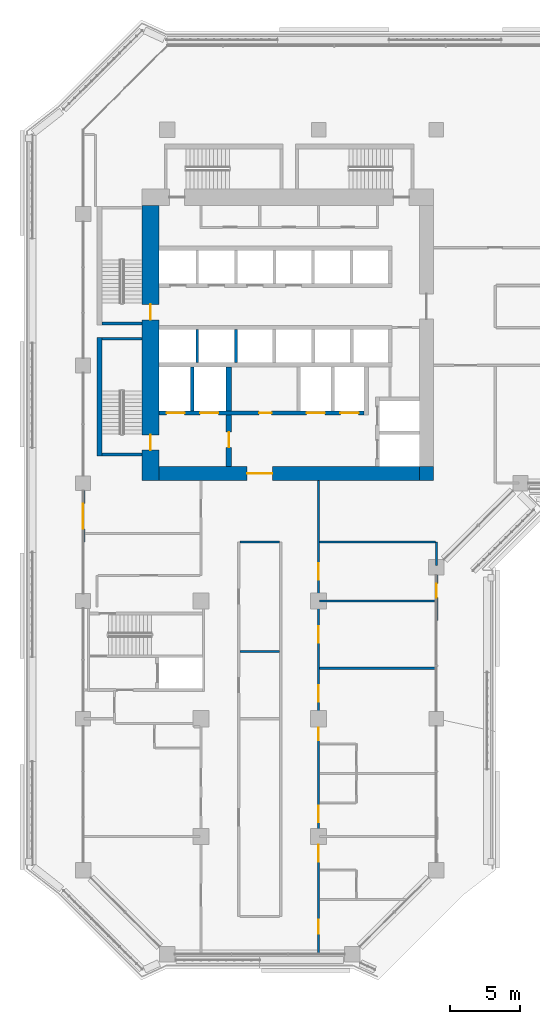
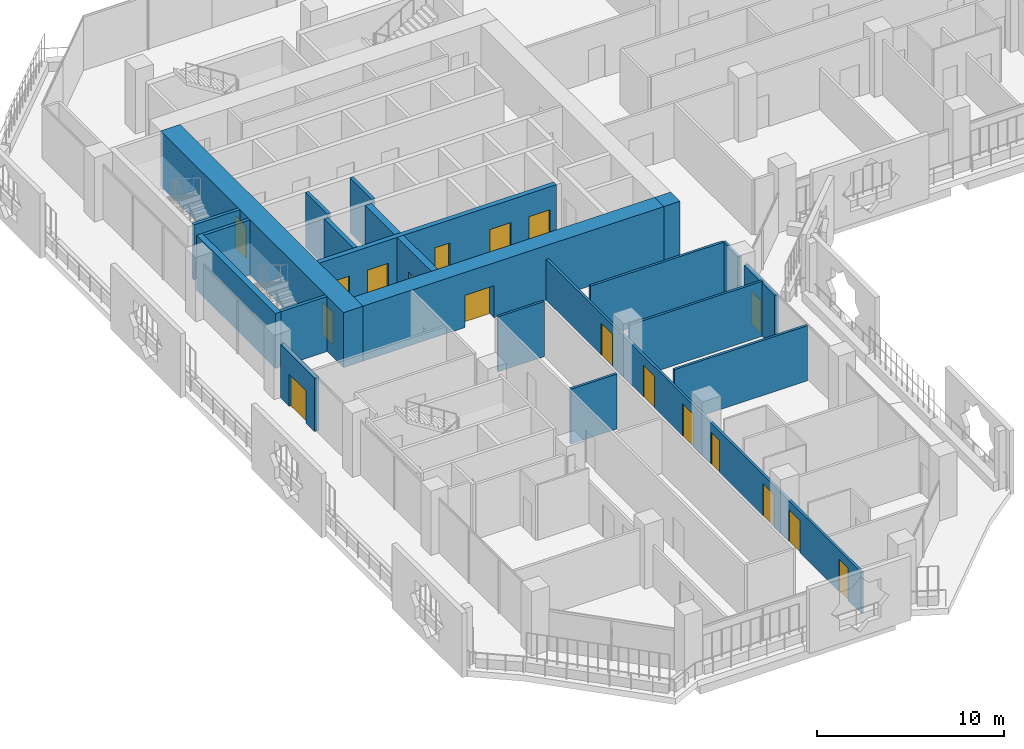
# One storey, part 13 of 25: 22 walls, 18 doors, 18 openings.
"""IFC4 building model written with IfcOpenShell, lengths in metres."""

from ifc_helpers import new_model, si_unit, direction, frame, frame_2d, origin, place, context, subcontext, project, spatial, rectangle, extrude, material, layer, layer_set, type_object, element, fill, save


model = new_model("IFC4")

# Units and contexts
model_context = context("Model", 3, precision=1e-05, world=origin(), true_north=direction((0.0, 1.0)))
body_context = subcontext(model_context, "Body", "Model", "MODEL_VIEW")
ifc_project = project(units=[si_unit("LENGTHUNIT", "METRE"), si_unit("AREAUNIT", "SQUARE_METRE"), si_unit("VOLUMEUNIT", "CUBIC_METRE"), si_unit("PLANEANGLEUNIT", "RADIAN"), si_unit("MASSUNIT", "GRAM", prefix="KILO")], contexts=[model_context])

# Site, building, storey
site_placement = place(None, origin())
site = spatial("IfcSite", under=ifc_project, at=site_placement, CompositionType="ELEMENT")
building_placement = place(site_placement, origin())
building = spatial("IfcBuilding", under=site, at=building_placement, Name="Kawkab Arch Medical Tower", CompositionType="ELEMENT")
storey_placement = place(building_placement, frame((0.0, 0.0, 124.0)))
storey = spatial("IfcBuildingStorey", under=building, at=storey_placement, Name="L28", CompositionType="ELEMENT", Elevation=124.0)

# Wall, opening, door
ifc_material_1 = material(Name="Concrete C60/75", Category="concrete")
ifc_layer_1 = layer(ifc_material_1, 1.0)
ifc_layer_set_1 = layer_set([ifc_layer_1], Name="Concrete C60/75")
wall_type_1 = type_object("IfcWallType", Name="Core ring wall 1000 C60/75", PredefinedType="SHEAR", material=ifc_layer_set_1)
wall_1_placement = place(storey_placement, frame((5.39990234375, -24.5, 0.0), z_axis=(0.0, 0.0, 1.0), x_axis=(1.0, 0.0, 0.0)))
wall_1 = element("IfcWall", 1, at=wall_1_placement, inside=storey, type_object=wall_type_1, Name="L28 core wall", PredefinedType="SHEAR", context=body_context, shape_type="SweptSolid", body=[
    extrude(rectangle(XDim=18.60009765625, YDim=1.0, at=frame_2d((9.300048828125, 0.0))), origin(), (0.0, 0.0, 1.0), 3.60009765625),
])
opening_1_placement = place(wall_1_placement, frame((6.300048828125, 0.0, 0.0)))
opening_1 = element("IfcOpeningElement", 2, at=opening_1_placement, cuts=wall_1, Name="Opening PD", PredefinedType="OPENING", context=body_context, shape_type="SweptSolid", body=[
    extrude(rectangle(XDim=1.800048828125, YDim=2.10009765625, at=frame_2d((0.89990234375, 1.050048828125))), frame((0.0, 0.510009765625, 0.0), z_axis=(0.0, -1.0, 0.0), x_axis=(1.0, 0.0, 0.0)), (0.0, 0.0, 1.0), 1.02001953125),
])
ifc_material_2 = material(Name="Hollow metal fire door leaf")
door_type_1 = type_object("IfcDoorType", Name="Core entrance doors 1800", OperationType="DOUBLE_DOOR_SINGLE_SWING", PredefinedType="DOOR", material=ifc_material_2)
door_1_placement = place(opening_1_placement, origin())
door_1 = element("IfcDoor", 3, at=door_1_placement, inside=storey, type_object=door_type_1, Name="L28 South entrance doors", OperationType="DOUBLE_DOOR_SINGLE_SWING", OverallHeight=2.10009765625, OverallWidth=1.800048828125, PredefinedType="DOOR", context=body_context, shape_type="SweptSolid", body=[
    extrude(rectangle(XDim=1.800048828125, YDim=2.10009765625, at=frame_2d((0.89990234375, 1.050048828125))), frame((0.0, 0.02490234375, 0.0), z_axis=(0.0, -1.0, 0.0), x_axis=(1.0, 0.0, 0.0)), (0.0, 0.0, 1.0), 0.050048828125),
])
fill(opening_1, door_1)

# Wall
wall_2_placement = place(storey_placement, frame((24.5, -25.0, 0.0), z_axis=(0.0, 0.0, 1.0), x_axis=(0.0, 1.0, 0.0)))
element("IfcWall", 4, at=wall_2_placement, inside=storey, type_object=wall_type_1, Name="L28 core wall", PredefinedType="SHEAR", context=body_context, shape_type="SweptSolid", body=[
    extrude(rectangle(XDim=1.0, YDim=1.0, at=frame_2d((0.5, 0.0))), origin(), (0.0, 0.0, 1.0), 3.60009765625),
])

# Wall, openings, doors
ifc_material_3 = material(Name="Concrete C60/75", Category="concrete")
ifc_layer_2 = layer(ifc_material_3, 1.199951171875)
ifc_layer_set_2 = layer_set([ifc_layer_2], Name="Concrete C60/75")
wall_type_2 = type_object("IfcWallType", Name="Core ring wall 1200 C60/75", PredefinedType="SHEAR", material=ifc_layer_set_2)
wall_3_placement = place(storey_placement, frame((4.800048828125, -25.0, 0.0), z_axis=(0.0, 0.0, 1.0), x_axis=(0.0, 1.0, 0.0)))
wall_3 = element("IfcWall", 5, at=wall_3_placement, inside=storey, type_object=wall_type_2, Name="L28 core wall", PredefinedType="SHEAR", context=body_context, shape_type="SweptSolid", body=[
    extrude(rectangle(XDim=19.60009765625, YDim=1.199951171875, at=frame_2d((9.800048828125, 0.0))), origin(), (0.0, 0.0, 1.0), 3.60009765625),
])
opening_2_placement = place(wall_3_placement, frame((11.449951171875, 0.0, 0.0)))
opening_2 = element("IfcOpeningElement", 6, at=opening_2_placement, cuts=wall_3, Name="Opening SD", PredefinedType="OPENING", context=body_context, shape_type="SweptSolid", body=[
    extrude(rectangle(XDim=1.10009765625, YDim=2.10009765625, at=frame_2d((0.550048828125, 1.050048828125))), frame((0.0, 0.60986328125, 0.0), z_axis=(0.0, -1.0, 0.0), x_axis=(1.0, 0.0, 0.0)), (0.0, 0.0, 1.0), 1.219970703125),
])
opening_3_placement = place(wall_3_placement, frame((2.14990234375, 0.0, 0.0)))
opening_3 = element("IfcOpeningElement", 7, at=opening_3_placement, cuts=wall_3, Name="Opening SD", PredefinedType="OPENING", context=body_context, shape_type="SweptSolid", body=[
    extrude(rectangle(XDim=1.10009765625, YDim=2.10009765625, at=frame_2d((0.550048828125, 1.050048828125))), frame((0.0, 0.60986328125, 0.0), z_axis=(0.0, -1.0, 0.0), x_axis=(1.0, 0.0, 0.0)), (0.0, 0.0, 1.0), 1.219970703125),
])
ifc_material_4 = material(Name="Hollow metal fire door leaf")
door_type_2 = type_object("IfcDoorType", Name="Exit stair door 1100", OperationType="SINGLE_SWING_LEFT", PredefinedType="DOOR", material=ifc_material_4)
door_2_placement = place(opening_2_placement, origin())
door_2 = element("IfcDoor", 8, at=door_2_placement, inside=storey, type_object=door_type_2, Name="L28 Exit stair ST1 door", OperationType="SINGLE_SWING_LEFT", OverallHeight=2.10009765625, OverallWidth=1.10009765625, PredefinedType="DOOR", context=body_context, shape_type="SweptSolid", body=[
    extrude(rectangle(XDim=1.10009765625, YDim=2.10009765625, at=frame_2d((0.550048828125, 1.050048828125))), frame((0.0, 0.02490234375, 0.0), z_axis=(0.0, -1.0, 0.0), x_axis=(1.0, 0.0, 0.0)), (0.0, 0.0, 1.0), 0.050048828125),
])
fill(opening_2, door_2)
door_3_placement = place(opening_3_placement, origin())
door_3 = element("IfcDoor", 9, at=door_3_placement, inside=storey, type_object=door_type_2, Name="L28 Exit stair ST2 door", OperationType="SINGLE_SWING_LEFT", OverallHeight=2.10009765625, OverallWidth=1.10009765625, PredefinedType="DOOR", context=body_context, shape_type="SweptSolid", body=[
    extrude(rectangle(XDim=1.10009765625, YDim=2.10009765625, at=frame_2d((0.550048828125, 1.050048828125))), frame((0.0, 0.02490234375, 0.0), z_axis=(0.0, -1.0, 0.0), x_axis=(1.0, 0.0, 0.0)), (0.0, 0.0, 1.0), 0.050048828125),
])
fill(opening_3, door_3)

# Wall
ifc_material_5 = material(Name="Concrete C60/75", Category="concrete")
ifc_layer_3 = layer(ifc_material_5, 0.25)
ifc_layer_set_3 = layer_set([ifc_layer_3], Name="Concrete C60/75")
wall_type_3 = type_object("IfcWallType", Name="Core shear wall 250 C60/75", PredefinedType="SHEAR", material=ifc_layer_set_3)
wall_4_placement = place(storey_placement, frame((7.800048828125, -20.050048828125, 0.0), z_axis=(0.0, 0.0, 1.0), x_axis=(0.0, 1.0, 0.0)))
element("IfcWall", 10, at=wall_4_placement, inside=storey, type_object=wall_type_3, Name="L28 core shear wall", PredefinedType="SHEAR", context=body_context, shape_type="SweptSolid", body=[
    extrude(rectangle(XDim=3.150146484375, YDim=0.25, at=frame_2d((1.5751953125, 0.0))), origin(), (0.0, 0.0, 1.0), 3.60009765625),
])

# Wall, openings, doors
ifc_material_6 = material(Name="Concrete C60/75", Category="concrete")
ifc_layer_4 = layer(ifc_material_6, 0.300048828125)
ifc_layer_set_4 = layer_set([ifc_layer_4], Name="Concrete C60/75")
wall_type_4 = type_object("IfcWallType", Name="Core shear wall 300 C60/75", PredefinedType="SHEAR", material=ifc_layer_set_4)
wall_5_placement = place(storey_placement, frame((5.39990234375, -20.199951171875, 0.0), z_axis=(0.0, 0.0, 1.0), x_axis=(1.0, 0.0, 0.0)))
wall_5 = element("IfcWall", 11, at=wall_5_placement, inside=storey, type_object=wall_type_4, Name="L28 core shear wall", PredefinedType="SHEAR", context=body_context, shape_type="SweptSolid", body=[
    extrude(rectangle(XDim=14.650146484375, YDim=0.300048828125, at=frame_2d((7.3251953125, 0.0))), origin(), (0.0, 0.0, 1.0), 3.60009765625),
])
opening_4_placement = place(wall_5_placement, frame((10.550048828125, 0.0, 0.0)))
opening_4 = element("IfcOpeningElement", 12, at=opening_4_placement, cuts=wall_5, Name="Opening LD2", PredefinedType="OPENING", context=body_context, shape_type="SweptSolid", body=[
    extrude(rectangle(XDim=1.300048828125, YDim=2.10009765625, at=frame_2d((0.64990234375, 1.050048828125))), frame((0.0, 0.159912109375, 0.0), z_axis=(0.0, -1.0, 0.0), x_axis=(1.0, 0.0, 0.0)), (0.0, 0.0, 1.0), 0.320068359375),
])
opening_5_placement = place(wall_5_placement, frame((12.949951171875, 0.0, 0.0)))
opening_5 = element("IfcOpeningElement", 13, at=opening_5_placement, cuts=wall_5, Name="Opening LD2", PredefinedType="OPENING", context=body_context, shape_type="SweptSolid", body=[
    extrude(rectangle(XDim=1.300048828125, YDim=2.10009765625, at=frame_2d((0.64990234375, 1.050048828125))), frame((0.0, 0.159912109375, 0.0), z_axis=(0.0, -1.0, 0.0), x_axis=(1.0, 0.0, 0.0)), (0.0, 0.0, 1.0), 0.320068359375),
])
opening_6_placement = place(wall_5_placement, frame((0.550048828125, 0.0, 0.0)))
opening_6 = element("IfcOpeningElement", 14, at=opening_6_placement, cuts=wall_5, Name="Opening LD2", PredefinedType="OPENING", context=body_context, shape_type="SweptSolid", body=[
    extrude(rectangle(XDim=1.300048828125, YDim=2.10009765625, at=frame_2d((0.64990234375, 1.050048828125))), frame((0.0, 0.159912109375, 0.0), z_axis=(0.0, -1.0, 0.0), x_axis=(1.0, 0.0, 0.0)), (0.0, 0.0, 1.0), 0.320068359375),
])
opening_7_placement = place(wall_5_placement, frame((2.949951171875, 0.0, 0.0)))
opening_7 = element("IfcOpeningElement", 15, at=opening_7_placement, cuts=wall_5, Name="Opening LD2", PredefinedType="OPENING", context=body_context, shape_type="SweptSolid", body=[
    extrude(rectangle(XDim=1.300048828125, YDim=2.10009765625, at=frame_2d((0.64990234375, 1.050048828125))), frame((0.0, 0.159912109375, 0.0), z_axis=(0.0, -1.0, 0.0), x_axis=(1.0, 0.0, 0.0)), (0.0, 0.0, 1.0), 0.320068359375),
])
opening_8_placement = place(wall_5_placement, frame((7.14990234375, 0.0, 0.0)))
opening_8 = element("IfcOpeningElement", 16, at=opening_8_placement, cuts=wall_5, Name="Opening RD", PredefinedType="OPENING", context=body_context, shape_type="SweptSolid", body=[
    extrude(rectangle(XDim=0.89990234375, YDim=2.10009765625, at=frame_2d((0.449951171875, 1.050048828125))), frame((0.0, 0.159912109375, 0.0), z_axis=(0.0, -1.0, 0.0), x_axis=(1.0, 0.0, 0.0)), (0.0, 0.0, 1.0), 0.320068359375),
])
ifc_material_7 = material(Name="Hollow metal fire door leaf")
door_type_3 = type_object("IfcDoorType", Name="Core room door 900", OperationType="SINGLE_SWING_LEFT", PredefinedType="DOOR", material=ifc_material_7)
door_4_placement = place(opening_8_placement, origin())
door_4 = element("IfcDoor", 17, at=door_4_placement, inside=storey, type_object=door_type_3, Name="L28 General store door", OperationType="SINGLE_SWING_LEFT", OverallHeight=2.10009765625, OverallWidth=0.89990234375, PredefinedType="DOOR", context=body_context, shape_type="SweptSolid", body=[
    extrude(rectangle(XDim=0.89990234375, YDim=2.10009765625, at=frame_2d((0.449951171875, 1.050048828125))), frame((0.0, 0.02490234375, 0.0), z_axis=(0.0, -1.0, 0.0), x_axis=(1.0, 0.0, 0.0)), (0.0, 0.0, 1.0), 0.050048828125),
])
fill(opening_8, door_4)
ifc_material_8 = material(Name="Stainless steel lift door leaf", Category="steel")
door_type_4 = type_object("IfcDoorType", Name="Lift landing door 1300", OperationType="DOUBLE_DOOR_SLIDING", PredefinedType="DOOR", material=ifc_material_8)
door_5_placement = place(opening_4_placement, origin())
door_5 = element("IfcDoor", 18, at=door_5_placement, inside=storey, type_object=door_type_4, Name="L28 Lift landing door BD3", OperationType="DOUBLE_DOOR_SLIDING", OverallHeight=2.10009765625, OverallWidth=1.300048828125, PredefinedType="DOOR", context=body_context, shape_type="SweptSolid", body=[
    extrude(rectangle(XDim=1.300048828125, YDim=2.10009765625, at=frame_2d((0.64990234375, 1.050048828125))), frame((0.0, 0.02490234375, 0.0), z_axis=(0.0, -1.0, 0.0), x_axis=(1.0, 0.0, 0.0)), (0.0, 0.0, 1.0), 0.050048828125),
])
fill(opening_4, door_5)
door_6_placement = place(opening_5_placement, origin())
door_6 = element("IfcDoor", 19, at=door_6_placement, inside=storey, type_object=door_type_4, Name="L28 Lift landing door BD4", OperationType="DOUBLE_DOOR_SLIDING", OverallHeight=2.10009765625, OverallWidth=1.300048828125, PredefinedType="DOOR", context=body_context, shape_type="SweptSolid", body=[
    extrude(rectangle(XDim=1.300048828125, YDim=2.10009765625, at=frame_2d((0.64990234375, 1.050048828125))), frame((0.0, 0.02490234375, 0.0), z_axis=(0.0, -1.0, 0.0), x_axis=(1.0, 0.0, 0.0)), (0.0, 0.0, 1.0), 0.050048828125),
])
fill(opening_5, door_6)
door_7_placement = place(opening_6_placement, origin())
door_7 = element("IfcDoor", 20, at=door_7_placement, inside=storey, type_object=door_type_4, Name="L28 Lift landing door FL1", OperationType="DOUBLE_DOOR_SLIDING", OverallHeight=2.10009765625, OverallWidth=1.300048828125, PredefinedType="DOOR", context=body_context, shape_type="SweptSolid", body=[
    extrude(rectangle(XDim=1.300048828125, YDim=2.10009765625, at=frame_2d((0.64990234375, 1.050048828125))), frame((0.0, 0.02490234375, 0.0), z_axis=(0.0, -1.0, 0.0), x_axis=(1.0, 0.0, 0.0)), (0.0, 0.0, 1.0), 0.050048828125),
])
fill(opening_6, door_7)
door_8_placement = place(opening_7_placement, origin())
door_8 = element("IfcDoor", 21, at=door_8_placement, inside=storey, type_object=door_type_4, Name="L28 Lift landing door FL2", OperationType="DOUBLE_DOOR_SLIDING", OverallHeight=2.10009765625, OverallWidth=1.300048828125, PredefinedType="DOOR", context=body_context, shape_type="SweptSolid", body=[
    extrude(rectangle(XDim=1.300048828125, YDim=2.10009765625, at=frame_2d((0.64990234375, 1.050048828125))), frame((0.0, 0.02490234375, 0.0), z_axis=(0.0, -1.0, 0.0), x_axis=(1.0, 0.0, 0.0)), (0.0, 0.0, 1.0), 0.050048828125),
])
fill(opening_7, door_8)

# Wall, opening, door
ifc_material_9 = material(Name="Concrete C60/75", Category="concrete")
ifc_layer_5 = layer(ifc_material_9, 0.39990234375)
ifc_layer_set_5 = layer_set([ifc_layer_5], Name="Concrete C60/75")
wall_type_5 = type_object("IfcWallType", Name="Core shear wall 400 C60/75", PredefinedType="SHEAR", material=ifc_layer_set_5)
wall_6_placement = place(storey_placement, frame((10.39990234375, -24.0, 0.0), z_axis=(0.0, 0.0, 1.0), x_axis=(0.0, 1.0, 0.0)))
wall_6 = element("IfcWall", 22, at=wall_6_placement, inside=storey, type_object=wall_type_5, Name="L28 core shear wall", PredefinedType="SHEAR", context=body_context, shape_type="SweptSolid", body=[
    extrude(rectangle(XDim=3.64990234375, YDim=0.39990234375, at=frame_2d((1.824951171875, 0.0))), origin(), (0.0, 0.0, 1.0), 3.60009765625),
])
opening_9_placement = place(wall_6_placement, frame((1.35009765625, 0.0, 0.0)))
opening_9 = element("IfcOpeningElement", 23, at=opening_9_placement, cuts=wall_6, Name="Opening FD", PredefinedType="OPENING", context=body_context, shape_type="SweptSolid", body=[
    extrude(rectangle(XDim=1.10009765625, YDim=2.10009765625, at=frame_2d((0.550048828125, 1.050048828125))), frame((0.0, 0.2099609375, 0.0), z_axis=(0.0, -1.0, 0.0), x_axis=(1.0, 0.0, 0.0)), (0.0, 0.0, 1.0), 0.419921875),
])
ifc_material_10 = material(Name="Hollow metal fire door leaf")
door_type_5 = type_object("IfcDoorType", Name="Firefighting lobby door 1100", OperationType="SINGLE_SWING_LEFT", PredefinedType="DOOR", material=ifc_material_10)
door_9_placement = place(opening_9_placement, origin())
door_9 = element("IfcDoor", 24, at=door_9_placement, inside=storey, type_object=door_type_5, Name="L28 Firefighting lobby door", OperationType="SINGLE_SWING_LEFT", OverallHeight=2.10009765625, OverallWidth=1.10009765625, PredefinedType="DOOR", context=body_context, shape_type="SweptSolid", body=[
    extrude(rectangle(XDim=1.10009765625, YDim=2.10009765625, at=frame_2d((0.550048828125, 1.050048828125))), frame((0.0, 0.02490234375, 0.0), z_axis=(0.0, -1.0, 0.0), x_axis=(1.0, 0.0, 0.0)), (0.0, 0.0, 1.0), 0.050048828125),
])
fill(opening_9, door_9)

# Wall
wall_7_placement = place(storey_placement, frame((10.39990234375, -20.050048828125, 0.0), z_axis=(0.0, 0.0, 1.0), x_axis=(0.0, 1.0, 0.0)))
element("IfcWall", 25, at=wall_7_placement, inside=storey, type_object=wall_type_5, Name="L28 core shear wall", PredefinedType="SHEAR", context=body_context, shape_type="SweptSolid", body=[
    extrude(rectangle(XDim=3.150146484375, YDim=0.39990234375, at=frame_2d((1.5751953125, 0.0))), origin(), (0.0, 0.0, 1.0), 3.60009765625),
])

# Wall, opening, door
ifc_material_11 = material(Name="Bronze clad insulated wall panel")
ifc_layer_6 = layer(ifc_material_11, 0.25)
ifc_layer_set_6 = layer_set([ifc_layer_6], Name="Bronze clad insulated wall panel")
wall_type_6 = type_object("IfcWallType", Name="External wall bay 250", PredefinedType="SOLIDWALL", material=ifc_layer_set_6)
wall_8_placement = place(storey_placement, frame((0.0, -25.72509765625, 0.0), z_axis=(0.0, 0.0, 1.0), x_axis=(0.0, -1.0, 0.0)))
wall_8 = element("IfcWall", 26, at=wall_8_placement, inside=storey, type_object=wall_type_6, Name="External wall bay L28.R01.4.1", PredefinedType="SOLIDWALL", context=body_context, shape_type="SweptSolid", body=[
    extrude(rectangle(XDim=3.6748046875, YDim=0.25, at=frame_2d((1.83740234375, 0.0))), origin(), (0.0, 0.0, 1.0), 3.47998046875),
])
opening_10_placement = place(wall_8_placement, frame((0.9375, 0.0, 0.0)))
opening_10 = element("IfcOpeningElement", 27, at=opening_10_placement, cuts=wall_8, Name="Opening W28-701", PredefinedType="OPENING", context=body_context, shape_type="SweptSolid", body=[
    extrude(rectangle(XDim=1.800048828125, YDim=2.10009765625, at=frame_2d((0.89990234375, 1.050048828125))), frame((0.0, 0.135009765625, 0.0), z_axis=(0.0, -1.0, 0.0), x_axis=(1.0, 0.0, 0.0)), (0.0, 0.0, 1.0), 0.27001953125),
])
ifc_material_12 = material(Name="Bronze anodised aluminium door with tinted glass", Category="aluminium")
door_type_6 = type_object("IfcDoorType", Name="Double external door 1800 x 2100", OperationType="DOUBLE_DOOR_SINGLE_SWING", PredefinedType="DOOR", material=ifc_material_12)
door_10_placement = place(opening_10_placement, origin())
door_10 = element("IfcDoor", 28, at=door_10_placement, inside=storey, type_object=door_type_6, Name="External door L28.R01.4.1", OperationType="DOUBLE_DOOR_SINGLE_SWING", OverallHeight=2.10009765625, OverallWidth=1.800048828125, PredefinedType="DOOR", context=body_context, shape_type="SweptSolid", body=[
    extrude(rectangle(XDim=1.800048828125, YDim=2.10009765625, at=frame_2d((0.89990234375, 1.050048828125))), frame((0.0, 0.02490234375, 0.0), z_axis=(0.0, -1.0, 0.0), x_axis=(1.0, 0.0, 0.0)), (0.0, 0.0, 1.0), 0.050048828125),
])
fill(opening_10, door_10)

wall_9_placement = place(storey_placement, frame((25.199951171875, -34.99169921875, 0.0), z_axis=(0.0, 0.0, 1.0), x_axis=(0.0, 1.0, 0.0)))
wall_9 = element("IfcWall", 29, at=wall_9_placement, inside=storey, type_object=wall_type_6, Name="External wall bay L28.R05.2.3", PredefinedType="SOLIDWALL", context=body_context, shape_type="SweptSolid", body=[
    extrude(rectangle(XDim=3.24169921875, YDim=0.25, at=frame_2d((1.620849609375, 0.0))), origin(), (0.0, 0.0, 1.0), 3.47998046875),
])
opening_11_placement = place(wall_9_placement, frame((1.620849609375, 0.0, 0.0)))
opening_11 = element("IfcOpeningElement", 30, at=opening_11_placement, cuts=wall_9, Name="Opening W28-702", PredefinedType="OPENING", context=body_context, shape_type="SweptSolid", body=[
    extrude(rectangle(XDim=1.0, YDim=2.10009765625, at=frame_2d((0.5, 1.050048828125))), frame((0.0, 0.135009765625, 0.0), z_axis=(0.0, -1.0, 0.0), x_axis=(1.0, 0.0, 0.0)), (0.0, 0.0, 1.0), 0.27001953125),
])
ifc_material_13 = material(Name="Bronze anodised aluminium door with tinted glass", Category="aluminium")
door_type_7 = type_object("IfcDoorType", Name="Single external door 1000 x 2100", OperationType="SINGLE_SWING_LEFT", PredefinedType="DOOR", material=ifc_material_13)
door_11_placement = place(opening_11_placement, origin())
door_11 = element("IfcDoor", 31, at=door_11_placement, inside=storey, type_object=door_type_7, Name="External door L28.R05.2.3", OperationType="SINGLE_SWING_LEFT", OverallHeight=2.10009765625, OverallWidth=1.0, PredefinedType="DOOR", context=body_context, shape_type="SweptSolid", body=[
    extrude(rectangle(XDim=1.0, YDim=2.10009765625, at=frame_2d((0.5, 1.050048828125))), frame((0.0, 0.02490234375, 0.0), z_axis=(0.0, -1.0, 0.0), x_axis=(1.0, 0.0, 0.0)), (0.0, 0.0, 1.0), 0.050048828125),
])
fill(opening_11, door_11)

# Walls
ifc_material_14 = material(Name="Dense concrete blockwork", Category="masonry")
ifc_layer_7 = layer(ifc_material_14, 0.199951171875)
ifc_layer_set_7 = layer_set([ifc_layer_7], Name="Dense concrete blockwork")
wall_type_7 = type_object("IfcWallType", Name="Lift shaft partition 200", PredefinedType="PARTITIONING", material=ifc_layer_set_7)
for number, where, z_axis, x_axis, name in (
    (32, (8.14990234375, -16.60009765625, 0.0), (0.0, 0.0, 1.0), (0.0, 1.0, 0.0), "L28 lift shaft partition"),
    (33, (10.89990234375, -16.60009765625, 0.0), (0.0, 0.0, 1.0), (0.0, 1.0, 0.0), "L28 lift shaft partition"),
):
    element("IfcWall", number, at=place(storey_placement, frame(where, z_axis=z_axis, x_axis=x_axis)), inside=storey, type_object=wall_type_7, Name=name, PredefinedType="PARTITIONING", context=body_context, shape_type="SweptSolid", body=[
        extrude(rectangle(XDim=2.35009765625, YDim=0.199951171875, at=frame_2d((1.175048828125, 0.0))), origin(), (0.0, 0.0, 1.0), 3.60009765625),
    ])
ifc_material_15 = material(Name="Gypsum board partition on steel studs, mineral wool", Category="steel")
ifc_layer_8 = layer(ifc_material_15, 0.14990234375)
ifc_layer_set_8 = layer_set([ifc_layer_8], Name="Gypsum board partition on steel studs, mineral wool")
wall_type_8 = type_object("IfcWallType", Name="Partition 150", PredefinedType="PARTITIONING", material=ifc_layer_set_8)
wall_10_placement = place(storey_placement, frame((16.875, -38.39990234375, 0.0), z_axis=(0.0, 0.0, 1.0), x_axis=(1.0, 0.0, 0.0)))
element("IfcWall", 34, at=wall_10_placement, inside=storey, type_object=wall_type_8, Name="Partition 150 w029", PredefinedType="PARTITIONING", context=body_context, shape_type="SweptSolid", body=[
    extrude(rectangle(XDim=8.2451171875, YDim=0.14990234375, at=frame_2d((4.12255859375, 0.0))), origin(), (0.0, 0.0, 1.0), 3.60009765625),
])
wall_11_placement = place(storey_placement, frame((11.175048828125, -37.199951171875, 0.0), z_axis=(0.0, 0.0, 1.0), x_axis=(1.0, 0.0, 0.0)))
element("IfcWall", 35, at=wall_11_placement, inside=storey, type_object=wall_type_8, Name="Partition 150 w030", PredefinedType="PARTITIONING", context=body_context, shape_type="SweptSolid", body=[
    extrude(rectangle(XDim=2.849853515625, YDim=0.14990234375, at=frame_2d((1.4248046875, 0.0))), origin(), (0.0, 0.0, 1.0), 3.60009765625),
])
wall_12_placement = place(storey_placement, frame((16.875, -33.60009765625, 0.0), z_axis=(0.0, 0.0, 1.0), x_axis=(1.0, 0.0, 0.0)))
element("IfcWall", 36, at=wall_12_placement, inside=storey, type_object=wall_type_8, Name="Partition 150 w031", PredefinedType="PARTITIONING", context=body_context, shape_type="SweptSolid", body=[
    extrude(rectangle(XDim=8.2451171875, YDim=0.14990234375, at=frame_2d((4.12255859375, 0.0))), origin(), (0.0, 0.0, 1.0), 3.60009765625),
])
wall_13_placement = place(storey_placement, frame((11.175048828125, -29.39990234375, 0.0), z_axis=(0.0, 0.0, 1.0), x_axis=(1.0, 0.0, 0.0)))
element("IfcWall", 37, at=wall_13_placement, inside=storey, type_object=wall_type_8, Name="Partition 150 w033", PredefinedType="PARTITIONING", context=body_context, shape_type="SweptSolid", body=[
    extrude(rectangle(XDim=2.849853515625, YDim=0.14990234375, at=frame_2d((1.4248046875, 0.0))), origin(), (0.0, 0.0, 1.0), 3.60009765625),
])
wall_14_placement = place(storey_placement, frame((16.875, -29.39990234375, 0.0), z_axis=(0.0, 0.0, 1.0), x_axis=(1.0, 0.0, 0.0)))
element("IfcWall", 38, at=wall_14_placement, inside=storey, type_object=wall_type_8, Name="Partition 150 w034", PredefinedType="PARTITIONING", context=body_context, shape_type="SweptSolid", body=[
    extrude(rectangle(XDim=8.25, YDim=0.14990234375, at=frame_2d((4.125, 0.0))), origin(), (0.0, 0.0, 1.0), 3.60009765625),
])

# Wall, openings, doors
wall_15_placement = place(storey_placement, frame((16.800048828125, -58.719970703125, 0.0), z_axis=(0.0, 0.0, 1.0), x_axis=(0.0, 1.0, 0.0)))
wall_15 = element("IfcWall", 39, at=wall_15_placement, inside=storey, type_object=wall_type_8, Name="Partition 150 w059", PredefinedType="PARTITIONING", context=body_context, shape_type="SweptSolid", body=[
    extrude(rectangle(XDim=33.719970703125, YDim=0.14990234375, at=frame_2d((16.85986328125, 0.0))), origin(), (0.0, 0.0, 1.0), 2.699951171875),
])
opening_12_placement = place(wall_15_placement, frame((26.6201171875, 0.0, 0.0)))
opening_12 = element("IfcOpeningElement", 40, at=opening_12_placement, cuts=wall_15, Name="Opening W28-048", PredefinedType="OPENING", context=body_context, shape_type="SweptSolid", body=[
    extrude(rectangle(XDim=1.199951171875, YDim=2.10009765625, at=frame_2d((0.60009765625, 1.050048828125))), frame((0.0, 0.0849609375, 0.0), z_axis=(0.0, -1.0, 0.0), x_axis=(1.0, 0.0, 0.0)), (0.0, 0.0, 1.0), 0.169921875),
])
opening_13_placement = place(wall_15_placement, frame((22.1201171875, 0.0, 0.0)))
opening_13 = element("IfcOpeningElement", 41, at=opening_13_placement, cuts=wall_15, Name="Opening W28-049", PredefinedType="OPENING", context=body_context, shape_type="SweptSolid", body=[
    extrude(rectangle(XDim=1.199951171875, YDim=2.10009765625, at=frame_2d((0.60009765625, 1.050048828125))), frame((0.0, 0.0849609375, 0.0), z_axis=(0.0, -1.0, 0.0), x_axis=(1.0, 0.0, 0.0)), (0.0, 0.0, 1.0), 0.169921875),
])
opening_14_placement = place(wall_15_placement, frame((17.919921875, 0.0, 0.0)))
opening_14 = element("IfcOpeningElement", 42, at=opening_14_placement, cuts=wall_15, Name="Opening W28-050", PredefinedType="OPENING", context=body_context, shape_type="SweptSolid", body=[
    extrude(rectangle(XDim=1.199951171875, YDim=2.10009765625, at=frame_2d((0.60009765625, 1.050048828125))), frame((0.0, 0.0849609375, 0.0), z_axis=(0.0, -1.0, 0.0), x_axis=(1.0, 0.0, 0.0)), (0.0, 0.0, 1.0), 0.169921875),
])
opening_15_placement = place(wall_15_placement, frame((15.169921875, 0.0, 0.0)))
opening_15 = element("IfcOpeningElement", 43, at=opening_15_placement, cuts=wall_15, Name="Opening W28-020", PredefinedType="OPENING", context=body_context, shape_type="SweptSolid", body=[
    extrude(rectangle(XDim=0.89990234375, YDim=2.10009765625, at=frame_2d((0.449951171875, 1.050048828125))), frame((0.0, 0.0849609375, 0.0), z_axis=(0.0, -1.0, 0.0), x_axis=(1.0, 0.0, 0.0)), (0.0, 0.0, 1.0), 0.169921875),
])
opening_16_placement = place(wall_15_placement, frame((9.320068359375, 0.0, 0.0)))
opening_16 = element("IfcOpeningElement", 44, at=opening_16_placement, cuts=wall_15, Name="Opening W28-051", PredefinedType="OPENING", context=body_context, shape_type="SweptSolid", body=[
    extrude(rectangle(XDim=1.199951171875, YDim=2.10009765625, at=frame_2d((0.60009765625, 1.050048828125))), frame((0.0, 0.0849609375, 0.0), z_axis=(0.0, -1.0, 0.0), x_axis=(1.0, 0.0, 0.0)), (0.0, 0.0, 1.0), 0.169921875),
])
opening_17_placement = place(wall_15_placement, frame((6.52001953125, 0.0, 0.0)))
opening_17 = element("IfcOpeningElement", 45, at=opening_17_placement, cuts=wall_15, Name="Opening W28-052", PredefinedType="OPENING", context=body_context, shape_type="SweptSolid", body=[
    extrude(rectangle(XDim=1.199951171875, YDim=2.10009765625, at=frame_2d((0.60009765625, 1.050048828125))), frame((0.0, 0.0849609375, 0.0), z_axis=(0.0, -1.0, 0.0), x_axis=(1.0, 0.0, 0.0)), (0.0, 0.0, 1.0), 0.169921875),
])
opening_18_placement = place(wall_15_placement, frame((1.3701171875, 0.0, 0.0)))
opening_18 = element("IfcOpeningElement", 46, at=opening_18_placement, cuts=wall_15, Name="Opening W28-033", PredefinedType="OPENING", context=body_context, shape_type="SweptSolid", body=[
    extrude(rectangle(XDim=1.0, YDim=2.10009765625, at=frame_2d((0.5, 1.050048828125))), frame((0.0, 0.0849609375, 0.0), z_axis=(0.0, -1.0, 0.0), x_axis=(1.0, 0.0, 0.0)), (0.0, 0.0, 1.0), 0.169921875),
])
ifc_material_16 = material(Name="Hollow metal door leaf")
door_type_8 = type_object("IfcDoorType", Name="Single door 1000x2100 FD30S", OperationType="NOTDEFINED", PredefinedType="DOOR", material=ifc_material_16)
door_12_placement = place(opening_18_placement, origin())
door_12 = element("IfcDoor", 47, at=door_12_placement, inside=storey, type_object=door_type_8, Name="Door W28-033", OperationType="SINGLE_SWING_RIGHT", OverallHeight=2.10009765625, OverallWidth=1.0, PredefinedType="DOOR", context=body_context, shape_type="SweptSolid", body=[
    extrude(rectangle(XDim=1.0, YDim=2.10009765625, at=frame_2d((0.5, 1.050048828125))), frame((0.0, 0.02490234375, 0.0), z_axis=(0.0, -1.0, 0.0), x_axis=(1.0, 0.0, 0.0)), (0.0, 0.0, 1.0), 0.050048828125),
])
fill(opening_18, door_12)
ifc_material_17 = material(Name="Hollow metal door leaf")
door_type_9 = type_object("IfcDoorType", Name="Single door 1200x2100 FD30S", OperationType="NOTDEFINED", PredefinedType="DOOR", material=ifc_material_17)
door_13_placement = place(opening_12_placement, origin())
door_13 = element("IfcDoor", 48, at=door_13_placement, inside=storey, type_object=door_type_9, Name="Door W28-048", OperationType="SINGLE_SWING_LEFT", OverallHeight=2.10009765625, OverallWidth=1.199951171875, PredefinedType="DOOR", context=body_context, shape_type="SweptSolid", body=[
    extrude(rectangle(XDim=1.199951171875, YDim=2.10009765625, at=frame_2d((0.60009765625, 1.050048828125))), frame((0.0, 0.02490234375, 0.0), z_axis=(0.0, -1.0, 0.0), x_axis=(1.0, 0.0, 0.0)), (0.0, 0.0, 1.0), 0.050048828125),
])
fill(opening_12, door_13)
door_14_placement = place(opening_13_placement, origin())
door_14 = element("IfcDoor", 49, at=door_14_placement, inside=storey, type_object=door_type_9, Name="Door W28-049", OperationType="SINGLE_SWING_LEFT", OverallHeight=2.10009765625, OverallWidth=1.199951171875, PredefinedType="DOOR", context=body_context, shape_type="SweptSolid", body=[
    extrude(rectangle(XDim=1.199951171875, YDim=2.10009765625, at=frame_2d((0.60009765625, 1.050048828125))), frame((0.0, 0.02490234375, 0.0), z_axis=(0.0, -1.0, 0.0), x_axis=(1.0, 0.0, 0.0)), (0.0, 0.0, 1.0), 0.050048828125),
])
fill(opening_13, door_14)
door_15_placement = place(opening_14_placement, origin())
door_15 = element("IfcDoor", 50, at=door_15_placement, inside=storey, type_object=door_type_9, Name="Door W28-050", OperationType="SINGLE_SWING_LEFT", OverallHeight=2.10009765625, OverallWidth=1.199951171875, PredefinedType="DOOR", context=body_context, shape_type="SweptSolid", body=[
    extrude(rectangle(XDim=1.199951171875, YDim=2.10009765625, at=frame_2d((0.60009765625, 1.050048828125))), frame((0.0, 0.02490234375, 0.0), z_axis=(0.0, -1.0, 0.0), x_axis=(1.0, 0.0, 0.0)), (0.0, 0.0, 1.0), 0.050048828125),
])
fill(opening_14, door_15)
door_16_placement = place(opening_16_placement, origin())
door_16 = element("IfcDoor", 51, at=door_16_placement, inside=storey, type_object=door_type_9, Name="Door W28-051", OperationType="SINGLE_SWING_RIGHT", OverallHeight=2.10009765625, OverallWidth=1.199951171875, PredefinedType="DOOR", context=body_context, shape_type="SweptSolid", body=[
    extrude(rectangle(XDim=1.199951171875, YDim=2.10009765625, at=frame_2d((0.60009765625, 1.050048828125))), frame((0.0, 0.02490234375, 0.0), z_axis=(0.0, -1.0, 0.0), x_axis=(1.0, 0.0, 0.0)), (0.0, 0.0, 1.0), 0.050048828125),
])
fill(opening_16, door_16)
door_17_placement = place(opening_17_placement, origin())
door_17 = element("IfcDoor", 52, at=door_17_placement, inside=storey, type_object=door_type_9, Name="Door W28-052", OperationType="SINGLE_SWING_RIGHT", OverallHeight=2.10009765625, OverallWidth=1.199951171875, PredefinedType="DOOR", context=body_context, shape_type="SweptSolid", body=[
    extrude(rectangle(XDim=1.199951171875, YDim=2.10009765625, at=frame_2d((0.60009765625, 1.050048828125))), frame((0.0, 0.02490234375, 0.0), z_axis=(0.0, -1.0, 0.0), x_axis=(1.0, 0.0, 0.0)), (0.0, 0.0, 1.0), 0.050048828125),
])
fill(opening_17, door_17)
ifc_material_18 = material(Name="Hollow metal door leaf")
door_type_10 = type_object("IfcDoorType", Name="Single door 900x2100 FD30S", OperationType="NOTDEFINED", PredefinedType="DOOR", material=ifc_material_18)
door_18_placement = place(opening_15_placement, origin())
door_18 = element("IfcDoor", 53, at=door_18_placement, inside=storey, type_object=door_type_10, Name="Door W28-020", OperationType="SINGLE_SWING_RIGHT", OverallHeight=2.10009765625, OverallWidth=0.89990234375, PredefinedType="DOOR", context=body_context, shape_type="SweptSolid", body=[
    extrude(rectangle(XDim=0.89990234375, YDim=2.10009765625, at=frame_2d((0.449951171875, 1.050048828125))), frame((0.0, 0.02490234375, 0.0), z_axis=(0.0, -1.0, 0.0), x_axis=(1.0, 0.0, 0.0)), (0.0, 0.0, 1.0), 0.050048828125),
])
fill(opening_15, door_18)

# Walls
wall_16_placement = place(storey_placement, frame((25.199951171875, -31.0869140625, 0.0), z_axis=(0.0, 0.0, 1.0), x_axis=(0.0, 1.0, 0.0)))
element("IfcWall", 54, at=wall_16_placement, inside=storey, type_object=wall_type_8, Name="Partition 150 w060", PredefinedType="PARTITIONING", context=body_context, shape_type="SweptSolid", body=[
    extrude(rectangle(XDim=1.68701171875, YDim=0.14990234375, at=frame_2d((0.843505859375, 0.0))), origin(), (0.0, 0.0, 1.0), 3.60009765625),
])
ifc_material_19 = material(Name="Concrete C50/60", Category="concrete")
ifc_layer_9 = layer(ifc_material_19, 0.199951171875)
ifc_layer_set_9 = layer_set([ifc_layer_9], Name="Concrete C50/60")
wall_type_9 = type_object("IfcWallType", Name="Stair enclosure wall 200 C50/60", PredefinedType="SHEAR", material=ifc_layer_set_9)
for number, where, z_axis, x_axis, name in (
    (55, (1.35009765625, -13.800048828125, 0.0), (0.0, 0.0, 1.0), (1.0, 0.0, 0.0), "L28 stair enclosure wall"),
    (56, (1.35009765625, -14.89990234375, 0.0), (0.0, 0.0, 1.0), (1.0, 0.0, 0.0), "L28 stair enclosure wall"),
    (57, (1.35009765625, -23.14990234375, 0.0), (0.0, 0.0, 1.0), (1.0, 0.0, 0.0), "L28 stair enclosure wall"),
):
    element("IfcWall", number, at=place(storey_placement, frame(where, z_axis=z_axis, x_axis=x_axis)), inside=storey, type_object=wall_type_9, Name=name, PredefinedType="SHEAR", context=body_context, shape_type="SweptSolid", body=[
        extrude(rectangle(XDim=2.849853515625, YDim=0.199951171875, at=frame_2d((1.4248046875, 0.0))), origin(), (0.0, 0.0, 1.0), 3.60009765625),
    ])
ifc_material_20 = material(Name="Concrete C50/60", Category="concrete")
ifc_layer_10 = layer(ifc_material_20, 0.35009765625)
ifc_layer_set_10 = layer_set([ifc_layer_10], Name="Concrete C50/60")
wall_type_10 = type_object("IfcWallType", Name="Stair enclosure wall 350 C50/60", PredefinedType="SHEAR", material=ifc_layer_set_10)
wall_17_placement = place(storey_placement, frame((1.175048828125, -23.25, 0.0), z_axis=(0.0, 0.0, 1.0), x_axis=(0.0, 1.0, 0.0)))
element("IfcWall", 58, at=wall_17_placement, inside=storey, type_object=wall_type_10, Name="L28 stair enclosure wall", PredefinedType="SHEAR", context=body_context, shape_type="SweptSolid", body=[
    extrude(rectangle(XDim=8.449951171875, YDim=0.35009765625, at=frame_2d((4.22509765625, 0.0))), origin(), (0.0, 0.0, 1.0), 3.60009765625),
])

save(model, "model.ifc")
